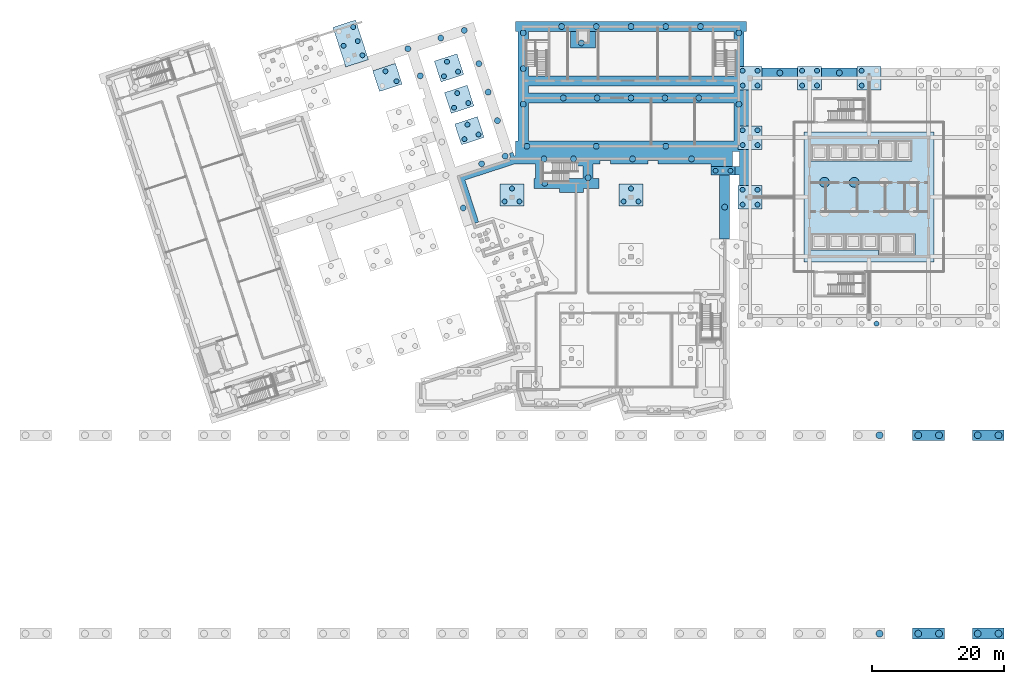
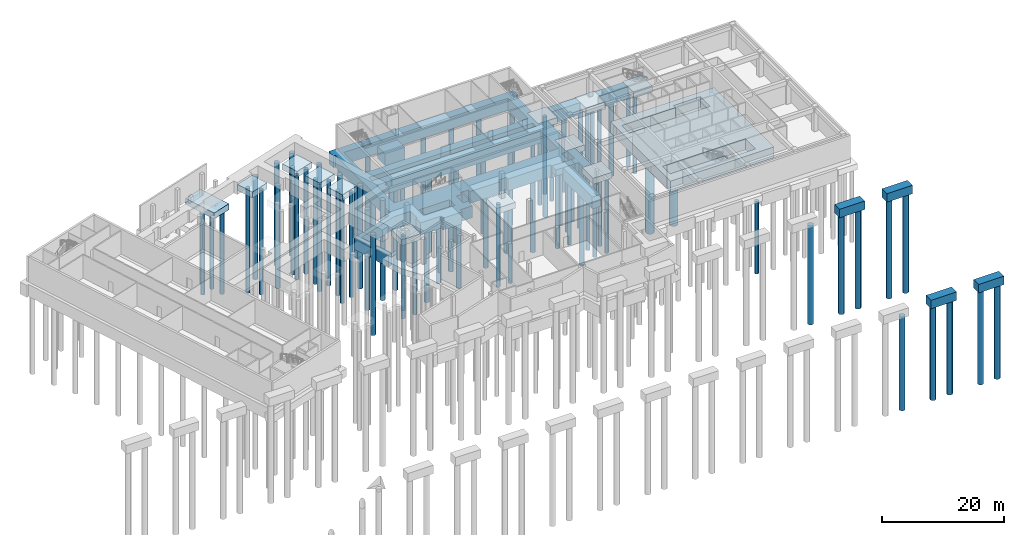
# One storey, part 4 of 17: 92 piles, 23 footings.
"""IFC4 building model written with IfcOpenShell, lengths in metres."""

from ifc_helpers import new_model, si_unit, direction, frame, origin, origin_2d, place, context, subcontext, project, spatial, polyline, rectangle, circle, outline, extrude, material, layer, layer_set, material_profile, profile_set, type_object, element, save


model = new_model("IFC4")

# Units and contexts
model_context = context("Model", 3, precision=1e-05, world=origin(), true_north=direction((0.0, 1.0)))
body_context = subcontext(model_context, "Body", "Model", "MODEL_VIEW")
ifc_project = project(units=[si_unit("LENGTHUNIT", "METRE"), si_unit("AREAUNIT", "SQUARE_METRE"), si_unit("VOLUMEUNIT", "CUBIC_METRE"), si_unit("PLANEANGLEUNIT", "RADIAN"), si_unit("MASSUNIT", "GRAM", prefix="KILO")], contexts=[model_context])

# Site, building, storey
site_placement = place(None, origin())
site = spatial("IfcSite", under=ifc_project, at=site_placement, CompositionType="ELEMENT")
building_placement = place(site_placement, origin())
building = spatial("IfcBuilding", under=site, at=building_placement, Name="Tuart Plaza Theatre", CompositionType="ELEMENT")
storey_placement = place(building_placement, frame((0.0, 0.0, -10.0)))
storey = spatial("IfcBuildingStorey", under=building, at=storey_placement, Name="B2", CompositionType="ELEMENT", Elevation=-10.0)

# Footings
ifc_material_1 = material(Name="Concrete N40 (40 MPa)", Category="concrete")
footing_type_1 = type_object("IfcFootingType", Name="CAP-1P-D900-3770X2475X2400", PredefinedType="PILE_CAP", material=ifc_material_1)
footing_1_placement = place(storey_placement, frame((88.739990234375, 97.802490234375, -4.199951171875), z_axis=(0.0, 0.0, 1.0), x_axis=(1.0, 0.0, 0.0)))
element("IfcFooting", 1, at=footing_1_placement, inside=storey, type_object=footing_type_1, Name="D-CAP-109", PredefinedType="PILE_CAP", context=body_context, shape_type="SweptSolid", body=[
    extrude(rectangle(XDim=3.77001953125, YDim=2.47509765625, at=origin_2d()), origin(), (0.0, 0.0, 1.0), 2.39990234375),
])
ifc_material_2 = material(Name="Concrete N40 (40 MPa)", Category="concrete")
footing_type_2 = type_object("IfcFootingType", Name="CAP-1P-D900-5400X1520X2400", PredefinedType="PILE_CAP", material=ifc_material_2)
for number, where, z_axis, x_axis, name in (
    (2, (118.5, 92.800048828125, -3.199951171875), (0.0, 0.0, 1.0), (1.0, 0.0, 0.0), "D-CAP-119"),
    (3, (127.5, 92.800048828125, -3.199951171875), (0.0, 0.0, 1.0), (1.0, 0.0, 0.0), "D-CAP-121"),
):
    element("IfcFooting", number, at=place(storey_placement, frame(where, z_axis=z_axis, x_axis=x_axis)), inside=storey, type_object=footing_type_2, Name=name, PredefinedType="PILE_CAP", context=body_context, shape_type="SweptSolid", body=[
        extrude(rectangle(XDim=5.39990234375, YDim=1.52001953125, at=origin_2d()), origin(), (0.0, 0.0, 1.0), 2.39990234375),
    ])
ifc_material_3 = material(Name="Concrete N40 (40 MPa)", Category="concrete")
footing_type_3 = type_object("IfcFootingType", Name="CAP-1P-D900-9650X1520X2400", PredefinedType="PILE_CAP", material=ifc_material_3)
footing_2_placement = place(storey_placement, frame((110.1630859375, 72.5, -3.199951171875), z_axis=(0.0, 0.0, 1.0), x_axis=(-5.375614e-06, 0.999999999986, 0.0)))
element("IfcFooting", 4, at=footing_2_placement, inside=storey, type_object=footing_type_3, Name="D-CAP-115", PredefinedType="PILE_CAP", context=body_context, shape_type="SweptSolid", body=[
    extrude(rectangle(XDim=9.64990234375, YDim=1.52001953125, at=origin_2d()), origin(), (0.0, 0.0, 1.0), 2.39990234375),
])
ifc_material_4 = material(Name="Concrete N40 (40 MPa)", Category="concrete")
footing_type_4 = type_object("IfcFootingType", Name="CAP-2P-D1050-4800X1650X1700", PredefinedType="PILE_CAP", material=ifc_material_4)
for number, where, z_axis, x_axis, name in (
    (5, (141.0, 8.0, 3.2998046875), (0.0, 0.0, 1.0), (1.0, 0.0, 0.0), "D-CAP-081"),
    (6, (141.0, 38.0, 3.2998046875), (0.0, 0.0, 1.0), (1.0, 0.0, 0.0), "D-CAP-082"),
    (7, (150.0, 8.0, 3.2998046875), (0.0, 0.0, 1.0), (1.0, 0.0, 0.0), "D-CAP-085"),
    (8, (150.0, 38.0, 3.2998046875), (0.0, 0.0, 1.0), (1.0, 0.0, 0.0), "D-CAP-086"),
):
    element("IfcFooting", number, at=place(storey_placement, frame(where, z_axis=z_axis, x_axis=x_axis)), inside=storey, type_object=footing_type_4, Name=name, PredefinedType="PILE_CAP", context=body_context, shape_type="SweptSolid", body=[
        extrude(rectangle(XDim=4.800048828125, YDim=1.64990234375, at=origin_2d()), origin(), (0.0, 0.0, 1.0), 1.699951171875),
    ])
ifc_material_5 = material(Name="Concrete N40 (40 MPa)", Category="concrete")
footing_type_5 = type_object("IfcFootingType", Name="CAP-2P-D750-3600X1350X1200", PredefinedType="PILE_CAP", material=ifc_material_5)
footing_3_placement = place(storey_placement, frame((109.909912109375, 78.0, -2.0), z_axis=(0.0, 0.0, 1.0), x_axis=(1.0, 0.0, 0.0)))
element("IfcFooting", 9, at=footing_3_placement, inside=storey, type_object=footing_type_5, Name="D-CAP-062", PredefinedType="PILE_CAP", context=body_context, shape_type="SweptSolid", body=[
    extrude(rectangle(XDim=3.60009765625, YDim=1.35009765625, at=origin_2d()), origin(), (0.0, 0.0, 1.0), 1.199951171875),
])
ifc_material_6 = material(Name="Concrete N40 (40 MPa)", Category="concrete")
footing_type_6 = type_object("IfcFootingType", Name="CAP-3P-D750-3600X3299X1200", PredefinedType="PILE_CAP", material=ifc_material_6)
for number, where, z_axis, x_axis, name in (
    (10, (59.1640625, 92.109130859375, 3.4501953125), (0.0, 0.0, 1.0), (0.951056516295, 0.309016994375, 0.0), "D-CAP-021"),
    (11, (68.472412109375, 93.556396484375, 3.4501953125), (0.0, 0.0, 1.0), (0.951056516295, 0.309016994375, 0.0), "D-CAP-028"),
    (12, (70.017333984375, 88.801025390625, 3.4501953125), (0.0, 0.0, 1.0), (0.951056516295, 0.309016994375, 0.0), "D-CAP-032"),
    (13, (71.5625, 84.0458984375, 3.4501953125), (0.0, 0.0, 1.0), (0.951056516295, 0.309016994375, 0.0), "D-CAP-034"),
    (14, (78.0, 74.32470703125, -2.0), (0.0, 0.0, 1.0), (1.0, 0.0, 0.0), "D-CAP-039"),
    (15, (96.0, 74.32470703125, -2.0), (0.0, 0.0, 1.0), (1.0, 0.0, 0.0), "D-CAP-054"),
):
    element("IfcFooting", number, at=place(storey_placement, frame(where, z_axis=z_axis, x_axis=x_axis)), inside=storey, type_object=footing_type_6, Name=name, PredefinedType="PILE_CAP", context=body_context, shape_type="SweptSolid", body=[
        extrude(rectangle(XDim=3.60009765625, YDim=3.299072265625, at=origin_2d()), origin(), (0.0, 0.0, 1.0), 1.199951171875),
    ])
ifc_material_7 = material(Name="Concrete N40 (40 MPa)", Category="concrete")
footing_type_7 = type_object("IfcFootingType", Name="CAP-4P-D750-3600X3600X1200", PredefinedType="PILE_CAP", material=ifc_material_7)
for number, where, z_axis, x_axis, name in (
    (16, (114.0, 74.0, -2.0), (0.0, 0.0, 1.0), (0.0, 1.0, 0.0), "D-CAP-067"),
    (17, (114.0, 83.0, -2.0), (0.0, 0.0, 1.0), (0.0, 1.0, 0.0), "D-CAP-068"),
    (18, (114.0, 92.0, -2.0), (0.0, 0.0, 1.0), (0.0, 1.0, 0.0), "D-CAP-069"),
    (19, (123.0, 92.0, -2.0), (0.0, 0.0, 1.0), (0.0, 1.0, 0.0), "D-CAP-073"),
    (20, (132.0, 92.0, -2.0), (0.0, 0.0, 1.0), (1.0, 0.0, 0.0), "D-CAP-079"),
):
    element("IfcFooting", number, at=place(storey_placement, frame(where, z_axis=z_axis, x_axis=x_axis)), inside=storey, type_object=footing_type_7, Name=name, PredefinedType="PILE_CAP", context=body_context, shape_type="SweptSolid", body=[
        extrude(rectangle(XDim=3.60009765625, YDim=3.60009765625, at=origin_2d()), origin(), (0.0, 0.0, 1.0), 1.199951171875),
    ])
ifc_material_8 = material(Name="Concrete N40 (40 MPa)", Category="concrete")
footing_type_8 = type_object("IfcFootingType", Name="CAP-6P-D750-6299X3600X1200", PredefinedType="PILE_CAP", material=ifc_material_8)
footing_4_placement = place(storey_placement, frame((53.60546875, 97.24267578125, -1.2001953125), z_axis=(0.0, 0.0, 1.0), x_axis=(-0.309016994375, 0.951056516295, 0.0)))
element("IfcFooting", 21, at=footing_4_placement, inside=storey, type_object=footing_type_8, Name="D-CAP-018", PredefinedType="PILE_CAP", context=body_context, shape_type="SweptSolid", body=[
    extrude(rectangle(XDim=6.299072265625, YDim=3.60009765625, at=origin_2d()), origin(), (0.0, 0.0, 1.0), 1.199951171875),
])
ifc_material_9 = material(Name="Concrete N40 (40 MPa)", Category="concrete")
ifc_layer_1 = layer(ifc_material_9, 2.39990234375)
ifc_layer_set_1 = layer_set([ifc_layer_1], Name="CAP-STRIP-D900-T2400")
footing_type_9 = type_object("IfcFootingType", Name="CAP-STRIP-D900-T2400", PredefinedType="PILE_CAP", material=ifc_layer_set_1)
footing_5_placement = place(storey_placement, frame((0.0, 0.0, -3.199951171875)))
element("IfcFooting", 22, at=footing_5_placement, inside=storey, type_object=footing_type_9, Name="D-CAP-110", PredefinedType="PILE_CAP", context=body_context, shape_type="SweptSolid", body=[
    extrude(outline(polyline([(70.893798828125, 76.589599609375), (78.395751953125, 79.027099609375), (81.5400390625, 79.027099609375), (81.5400390625, 76.860107421875), (81.340087890625, 76.860107421875), (81.340087890625, 75.340087890625), (85.2080078125, 75.340087890625), (85.2080078125, 74.675048828125), (88.80810546875, 74.675048828125), (88.80810546875, 75.340087890625), (91.139892578125, 75.340087890625), (91.139892578125, 76.860107421875), (90.260009765625, 76.860107421875), (90.260009765625, 79.027099609375), (91.340087890625, 79.027099609375), (91.340087890625, 79.56689453125), (92.860107421875, 79.56689453125), (92.860107421875, 79.027099609375), (98.5400390625, 79.027099609375), (98.5400390625, 79.56689453125), (100.06005859375, 79.56689453125), (100.06005859375, 79.027099609375), (108.110107421875, 79.027099609375), (108.110107421875, 78.675048828125), (111.322998046875, 78.675048828125), (111.322998046875, 80.93994140625), (112.43994140625, 80.93994140625), (112.43994140625, 78.675048828125), (111.7099609375, 78.675048828125), (111.7099609375, 77.324951171875), (112.43994140625, 77.324951171875), (112.43994140625, 75.800048828125), (113.9599609375, 75.800048828125), (113.9599609375, 81.199951171875), (112.199951171875, 81.199951171875), (112.199951171875, 84.800048828125), (113.9599609375, 84.800048828125), (113.9599609375, 90.199951171875), (112.199951171875, 90.199951171875), (112.199951171875, 93.800048828125), (113.06005859375, 93.800048828125), (113.06005859375, 99.0400390625), (113.4599609375, 99.0400390625), (113.4599609375, 100.56005859375), (78.5400390625, 100.56005859375), (78.5400390625, 99.0400390625), (78.93994140625, 99.0400390625), (78.93994140625, 82.4599609375), (78.5400390625, 82.4599609375), (78.5400390625, 80.2978515625), (78.322265625, 80.26318359375), (78.148681640625, 80.79736328125), (77.6162109375, 80.624267578125), (77.91259765625, 79.711181640625), (69.8857421875, 77.10302734375), (72.19287109375, 70.002685546875), (72.95361328125, 70.25), (70.893798828125, 76.589599609375)]), holes=[polyline([(80.4599609375, 82.4599609375), (111.5400390625, 82.4599609375), (111.5400390625, 88.239990234375), (80.4599609375, 88.239990234375), (80.4599609375, 82.4599609375)]), polyline([(80.4599609375, 89.760009765625), (111.5400390625, 89.760009765625), (111.5400390625, 90.840087890625), (80.4599609375, 90.840087890625), (80.4599609375, 89.760009765625)]), polyline([(80.4599609375, 92.360107421875), (111.5400390625, 92.360107421875), (111.5400390625, 99.0400390625), (80.4599609375, 99.0400390625), (80.4599609375, 92.360107421875)]), polyline([(88.739990234375, 78.68994140625), (83.06005859375, 78.68994140625), (83.06005859375, 76.860107421875), (88.739990234375, 76.860107421875), (88.739990234375, 78.68994140625)])]), origin(), (0.0, 0.0, 1.0), 2.39990234375),
])
ifc_material_10 = material(Name="Concrete N40 (40 MPa)", Category="concrete")
ifc_layer_2 = layer(ifc_material_10, 2.199951171875)
ifc_layer_set_2 = layer_set([ifc_layer_2], Name="PILE CAP core raft 2200 Concrete N40 (40 MPa)")
footing_type_10 = type_object("IfcFootingType", Name="PILE CAP core raft 2200 Concrete N40 (40 MPa)", PredefinedType="PILE_CAP", material=ifc_layer_set_2)
footing_6_placement = place(storey_placement, frame((0.0, 0.0, -2.199951171875)))
element("IfcFooting", 23, at=footing_6_placement, inside=storey, type_object=footing_type_10, Name="core raft", PredefinedType="PILE_CAP", context=body_context, shape_type="SweptSolid", body=[
    extrude(outline(polyline([(141.824951171875, 64.175048828125), (122.175048828125, 64.175048828125), (122.175048828125, 83.824951171875), (141.824951171875, 83.824951171875), (141.824951171875, 64.175048828125)]), holes=[polyline([(133.425048828125, 65.22509765625), (133.425048828125, 66.02490234375), (123.22509765625, 66.02490234375), (123.22509765625, 68.52490234375), (138.925048828125, 68.52490234375), (138.925048828125, 65.22509765625), (133.425048828125, 65.22509765625)]), polyline([(123.22509765625, 79.47509765625), (123.22509765625, 81.97509765625), (133.425048828125, 81.97509765625), (133.425048828125, 82.675048828125), (138.52490234375, 82.675048828125), (138.52490234375, 79.47509765625), (123.22509765625, 79.47509765625)])]), origin(), (0.0, 0.0, 1.0), 2.199951171875),
])

# Piles
ifc_material_11 = material(Name="Concrete N40 (40 MPa)", Category="concrete")
ifc_material_profile_1 = material_profile(ifc_material_11, circle(Radius=0.52490234375, at=origin_2d()), Name="PILE-BORED-D1050")
ifc_profile_set_1 = profile_set([ifc_material_profile_1], Name="Concrete N40 (40 MPa)")
pile_type_1 = type_object("IfcPileType", Name="PILE-BORED-D1050", PredefinedType="BORED", material=ifc_profile_set_1)
pile_1_placement = place(storey_placement, frame((133.574951171875, 8.0, 3.300048828125), z_axis=(0.0, 0.0, -1.0), x_axis=(1.0, 0.0, 0.0)))
element("IfcPile", 24, at=pile_1_placement, inside=storey, type_object=pile_type_1, Name="D-PIL-075-02", PredefinedType="BORED", context=body_context, shape_type="SweptSolid", body=[
    extrude(circle(Radius=0.52490234375, at=origin_2d()), origin(), (0.0, 0.0, 1.0), 18.800048828125),
])
pile_2_placement = place(storey_placement, frame((133.574951171875, 38.0, 3.300048828125), z_axis=(0.0, 0.0, -1.0), x_axis=(1.0, 0.0, 0.0)))
element("IfcPile", 25, at=pile_2_placement, inside=storey, type_object=pile_type_1, Name="D-PIL-076-02", PredefinedType="BORED", context=body_context, shape_type="SweptSolid", body=[
    extrude(circle(Radius=0.52490234375, at=origin_2d()), origin(), (0.0, 0.0, 1.0), 19.800048828125),
])
for number, where, z_axis, x_axis, name in (
    (26, (139.425048828125, 8.0, 3.300048828125), (0.0, 0.0, -1.0), (1.0, 0.0, 0.0), "D-PIL-081-01"),
    (27, (142.574951171875, 8.0, 3.300048828125), (0.0, 0.0, -1.0), (1.0, 0.0, 0.0), "D-PIL-081-02"),
):
    element("IfcPile", number, at=place(storey_placement, frame(where, z_axis=z_axis, x_axis=x_axis)), inside=storey, type_object=pile_type_1, Name=name, PredefinedType="BORED", context=body_context, shape_type="SweptSolid", body=[
        extrude(circle(Radius=0.52490234375, at=origin_2d()), origin(), (0.0, 0.0, 1.0), 18.800048828125),
    ])
for number, where, z_axis, x_axis, name in (
    (28, (139.425048828125, 38.0, 3.300048828125), (0.0, 0.0, -1.0), (1.0, 0.0, 0.0), "D-PIL-082-01"),
    (29, (142.574951171875, 38.0, 3.300048828125), (0.0, 0.0, -1.0), (1.0, 0.0, 0.0), "D-PIL-082-02"),
):
    element("IfcPile", number, at=place(storey_placement, frame(where, z_axis=z_axis, x_axis=x_axis)), inside=storey, type_object=pile_type_1, Name=name, PredefinedType="BORED", context=body_context, shape_type="SweptSolid", body=[
        extrude(circle(Radius=0.52490234375, at=origin_2d()), origin(), (0.0, 0.0, 1.0), 19.800048828125),
    ])
for number, where, z_axis, x_axis, name in (
    (30, (148.425048828125, 8.0, 3.300048828125), (0.0, 0.0, -1.0), (1.0, 0.0, 0.0), "D-PIL-085-01"),
    (31, (151.574951171875, 8.0, 3.300048828125), (0.0, 0.0, -1.0), (1.0, 0.0, 0.0), "D-PIL-085-02"),
):
    element("IfcPile", number, at=place(storey_placement, frame(where, z_axis=z_axis, x_axis=x_axis)), inside=storey, type_object=pile_type_1, Name=name, PredefinedType="BORED", context=body_context, shape_type="SweptSolid", body=[
        extrude(circle(Radius=0.52490234375, at=origin_2d()), origin(), (0.0, 0.0, 1.0), 18.800048828125),
    ])
for number, where, z_axis, x_axis, name in (
    (32, (148.425048828125, 38.0, 3.300048828125), (0.0, 0.0, -1.0), (1.0, 0.0, 0.0), "D-PIL-086-01"),
    (33, (151.574951171875, 38.0, 3.300048828125), (0.0, 0.0, -1.0), (1.0, 0.0, 0.0), "D-PIL-086-02"),
):
    element("IfcPile", number, at=place(storey_placement, frame(where, z_axis=z_axis, x_axis=x_axis)), inside=storey, type_object=pile_type_1, Name=name, PredefinedType="BORED", context=body_context, shape_type="SweptSolid", body=[
        extrude(circle(Radius=0.52490234375, at=origin_2d()), origin(), (0.0, 0.0, 1.0), 19.800048828125),
    ])
ifc_material_12 = material(Name="Concrete N40 (40 MPa)", Category="concrete")
ifc_material_profile_2 = material_profile(ifc_material_12, circle(Radius=0.75, at=origin_2d()), Name="PILE-BORED-D1500")
ifc_profile_set_2 = profile_set([ifc_material_profile_2], Name="Concrete N40 (40 MPa)")
pile_type_2 = type_object("IfcPileType", Name="PILE-BORED-D1500", PredefinedType="BORED", material=ifc_profile_set_2)
for number, where, z_axis, x_axis, name in (
    (34, (129.75, 76.25, -2.199951171875), (0.0, 0.0, -1.0), (1.0, 0.0, 0.0), "D-PIL-C-raft-07"),
    (35, (125.25, 76.25, -2.199951171875), (0.0, 0.0, -1.0), (1.0, 0.0, 0.0), "D-PIL-C-raft-08"),
):
    element("IfcPile", number, at=place(storey_placement, frame(where, z_axis=z_axis, x_axis=x_axis)), inside=storey, type_object=pile_type_2, Name=name, PredefinedType="BORED", context=body_context, shape_type="SweptSolid", body=[
        extrude(circle(Radius=0.75, at=origin_2d()), origin(), (0.0, 0.0, 1.0), 16.300048828125),
    ])
ifc_material_13 = material(Name="Concrete N40 (40 MPa)", Category="concrete")
ifc_material_profile_3 = material_profile(ifc_material_13, circle(Radius=0.375, at=origin_2d()), Name="PILE-BORED-D750")
ifc_profile_set_3 = profile_set([ifc_material_profile_3], Name="Concrete N40 (40 MPa)")
pile_type_3 = type_object("IfcPileType", Name="PILE-BORED-D750", PredefinedType="BORED", material=ifc_profile_set_3)
for number, where, z_axis, x_axis, name in (
    (36, (52.53662109375, 96.8955078125, -1.199951171875), (0.0, 0.0, -1.0), (1.0, 0.0, 0.0), "D-PIL-018-02"),
    (37, (55.368896484375, 95.452392578125, -1.199951171875), (0.0, 0.0, -1.0), (1.0, 0.0, 0.0), "D-PIL-018-04"),
    (38, (54.67431640625, 97.590087890625, -1.199951171875), (0.0, 0.0, -1.0), (1.0, 0.0, 0.0), "D-PIL-018-05"),
    (39, (53.979736328125, 99.727783203125, -1.199951171875), (0.0, 0.0, -1.0), (1.0, 0.0, 0.0), "D-PIL-018-06"),
):
    element("IfcPile", number, at=place(storey_placement, frame(where, z_axis=z_axis, x_axis=x_axis)), inside=storey, type_object=pile_type_3, Name=name, PredefinedType="BORED", context=body_context, shape_type="SweptSolid", body=[
        extrude(circle(Radius=0.375, at=origin_2d()), origin(), (0.0, 0.0, 1.0), 16.800048828125),
    ])
for number, where, z_axis, x_axis, name in (
    (40, (60.534912109375, 91.530029296875, 3.449951171875), (0.0, 0.0, -1.0), (1.0, 0.0, 0.0), "D-PIL-021-02"),
    (41, (58.86279296875, 93.03564453125, 3.449951171875), (0.0, 0.0, -1.0), (1.0, 0.0, 0.0), "D-PIL-021-03"),
    (42, (67.703369140625, 92.281982421875, 3.449951171875), (0.0, 0.0, -1.0), (1.0, 0.0, 0.0), "D-PIL-028-01"),
    (43, (69.84326171875, 92.977294921875, 3.449951171875), (0.0, 0.0, -1.0), (1.0, 0.0, 0.0), "D-PIL-028-02"),
):
    element("IfcPile", number, at=place(storey_placement, frame(where, z_axis=z_axis, x_axis=x_axis)), inside=storey, type_object=pile_type_3, Name=name, PredefinedType="BORED", context=body_context, shape_type="SweptSolid", body=[
        extrude(circle(Radius=0.375, at=origin_2d()), origin(), (0.0, 0.0, 1.0), 20.949951171875),
    ])
pile_3_placement = place(storey_placement, frame((68.171142578125, 94.48291015625, 3.449951171875), z_axis=(0.0, 0.0, -1.0), x_axis=(1.0, 0.0, 0.0)))
element("IfcPile", 44, at=pile_3_placement, inside=storey, type_object=pile_type_3, Name="D-PIL-028-03", PredefinedType="BORED", context=body_context, shape_type="SweptSolid", body=[
    extrude(circle(Radius=0.375, at=origin_2d()), origin(), (0.0, 0.0, 1.0), 21.449951171875),
])
for number, where, z_axis, x_axis, name in (
    (45, (69.24853515625, 87.52685546875, 3.449951171875), (0.0, 0.0, -1.0), (1.0, 0.0, 0.0), "D-PIL-032-01"),
    (46, (71.388427734375, 88.22216796875, 3.449951171875), (0.0, 0.0, -1.0), (1.0, 0.0, 0.0), "D-PIL-032-02"),
    (47, (69.71630859375, 89.727783203125, 3.449951171875), (0.0, 0.0, -1.0), (1.0, 0.0, 0.0), "D-PIL-032-03"),
    (48, (70.793701171875, 82.771484375, 3.449951171875), (0.0, 0.0, -1.0), (1.0, 0.0, 0.0), "D-PIL-034-01"),
    (49, (72.93359375, 83.466796875, 3.449951171875), (0.0, 0.0, -1.0), (1.0, 0.0, 0.0), "D-PIL-034-02"),
    (50, (71.261474609375, 84.972412109375, 3.449951171875), (0.0, 0.0, -1.0), (1.0, 0.0, 0.0), "D-PIL-034-03"),
):
    element("IfcPile", number, at=place(storey_placement, frame(where, z_axis=z_axis, x_axis=x_axis)), inside=storey, type_object=pile_type_3, Name=name, PredefinedType="BORED", context=body_context, shape_type="SweptSolid", body=[
        extrude(circle(Radius=0.375, at=origin_2d()), origin(), (0.0, 0.0, 1.0), 20.949951171875),
    ])
for number, where, z_axis, x_axis, name in (
    (51, (76.875, 73.3505859375, -2.0), (0.0, 0.0, -1.0), (1.0, 0.0, 0.0), "D-PIL-039-01"),
    (52, (79.125, 73.3505859375, -2.0), (0.0, 0.0, -1.0), (1.0, 0.0, 0.0), "D-PIL-039-02"),
    (53, (78.0, 75.299072265625, -2.0), (0.0, 0.0, -1.0), (1.0, 0.0, 0.0), "D-PIL-039-03"),
    (54, (94.875, 73.3505859375, -2.0), (0.0, 0.0, -1.0), (1.0, 0.0, 0.0), "D-PIL-054-01"),
    (55, (97.125, 73.3505859375, -2.0), (0.0, 0.0, -1.0), (1.0, 0.0, 0.0), "D-PIL-054-02"),
    (56, (96.0, 75.299072265625, -2.0), (0.0, 0.0, -1.0), (1.0, 0.0, 0.0), "D-PIL-054-03"),
    (57, (108.784912109375, 78.0, -2.0), (0.0, 0.0, -1.0), (1.0, 0.0, 0.0), "D-PIL-062-01"),
    (58, (111.034912109375, 78.0, -2.0), (0.0, 0.0, -1.0), (1.0, 0.0, 0.0), "D-PIL-062-02"),
    (59, (112.875, 72.875, -2.0), (0.0, 0.0, -1.0), (1.0, 0.0, 0.0), "D-PIL-067-01"),
    (60, (112.875, 75.125, -2.0), (0.0, 0.0, -1.0), (1.0, 0.0, 0.0), "D-PIL-067-02"),
    (61, (115.125, 72.875, -2.0), (0.0, 0.0, -1.0), (1.0, 0.0, 0.0), "D-PIL-067-03"),
    (62, (115.125, 75.125, -2.0), (0.0, 0.0, -1.0), (1.0, 0.0, 0.0), "D-PIL-067-04"),
):
    element("IfcPile", number, at=place(storey_placement, frame(where, z_axis=z_axis, x_axis=x_axis)), inside=storey, type_object=pile_type_3, Name=name, PredefinedType="BORED", context=body_context, shape_type="SweptSolid", body=[
        extrude(circle(Radius=0.375, at=origin_2d()), origin(), (0.0, 0.0, 1.0), 15.0),
    ])
for number, where, z_axis, x_axis, name in (
    (63, (112.875, 81.875, -2.0), (0.0, 0.0, -1.0), (1.0, 0.0, 0.0), "D-PIL-068-01"),
    (64, (112.875, 84.125, -2.0), (0.0, 0.0, -1.0), (1.0, 0.0, 0.0), "D-PIL-068-02"),
    (65, (115.125, 81.875, -2.0), (0.0, 0.0, -1.0), (1.0, 0.0, 0.0), "D-PIL-068-03"),
    (66, (115.125, 84.125, -2.0), (0.0, 0.0, -1.0), (1.0, 0.0, 0.0), "D-PIL-068-04"),
    (67, (112.875, 90.875, -2.0), (0.0, 0.0, -1.0), (1.0, 0.0, 0.0), "D-PIL-069-01"),
    (68, (112.875, 93.125, -2.0), (0.0, 0.0, -1.0), (1.0, 0.0, 0.0), "D-PIL-069-02"),
    (69, (115.125, 90.875, -2.0), (0.0, 0.0, -1.0), (1.0, 0.0, 0.0), "D-PIL-069-03"),
    (70, (115.125, 93.125, -2.0), (0.0, 0.0, -1.0), (1.0, 0.0, 0.0), "D-PIL-069-04"),
    (71, (121.875, 90.875, -2.0), (0.0, 0.0, -1.0), (1.0, 0.0, 0.0), "D-PIL-073-01"),
    (72, (121.875, 93.125, -2.0), (0.0, 0.0, -1.0), (1.0, 0.0, 0.0), "D-PIL-073-02"),
    (73, (124.125, 90.875, -2.0), (0.0, 0.0, -1.0), (1.0, 0.0, 0.0), "D-PIL-073-03"),
    (74, (124.125, 93.125, -2.0), (0.0, 0.0, -1.0), (1.0, 0.0, 0.0), "D-PIL-073-04"),
):
    element("IfcPile", number, at=place(storey_placement, frame(where, z_axis=z_axis, x_axis=x_axis)), inside=storey, type_object=pile_type_3, Name=name, PredefinedType="BORED", context=body_context, shape_type="SweptSolid", body=[
        extrude(circle(Radius=0.375, at=origin_2d()), origin(), (0.0, 0.0, 1.0), 15.5),
    ])
pile_4_placement = place(storey_placement, frame((133.125, 54.875, -2.0), z_axis=(0.0, 0.0, -1.0), x_axis=(1.0, 0.0, 0.0)))
element("IfcPile", 75, at=pile_4_placement, inside=storey, type_object=pile_type_3, Name="D-PIL-078-03", PredefinedType="BORED", context=body_context, shape_type="SweptSolid", body=[
    extrude(circle(Radius=0.375, at=origin_2d()), origin(), (0.0, 0.0, 1.0), 14.5),
])
for number, where, z_axis, x_axis, name in (
    (76, (130.875, 90.875, -2.0), (0.0, 0.0, -1.0), (1.0, 0.0, 0.0), "D-PIL-079-01"),
    (77, (130.875, 93.125, -2.0), (0.0, 0.0, -1.0), (1.0, 0.0, 0.0), "D-PIL-079-02"),
):
    element("IfcPile", number, at=place(storey_placement, frame(where, z_axis=z_axis, x_axis=x_axis)), inside=storey, type_object=pile_type_3, Name=name, PredefinedType="BORED", context=body_context, shape_type="SweptSolid", body=[
        extrude(circle(Radius=0.375, at=origin_2d()), origin(), (0.0, 0.0, 1.0), 15.5),
    ])
ifc_material_14 = material(Name="Concrete N40 (40 MPa)", Category="concrete")
ifc_material_profile_4 = material_profile(ifc_material_14, circle(Radius=0.449951171875, at=origin_2d()), Name="PILE-BORED-D900")
ifc_profile_set_4 = profile_set([ifc_material_profile_4], Name="Concrete N40 (40 MPa)")
pile_type_4 = type_object("IfcPileType", Name="PILE-BORED-D900", PredefinedType="BORED", material=ifc_profile_set_4)
pile_5_placement = place(storey_placement, frame((62.24853515625, 96.449951171875, 2.60009765625), z_axis=(0.0, 0.0, -1.0), x_axis=(1.0, 0.0, 0.0)))
element("IfcPile", 78, at=pile_5_placement, inside=storey, type_object=pile_type_4, Name="D-PIL-102-02", PredefinedType="BORED", context=body_context, shape_type="SweptSolid", body=[
    extrude(circle(Radius=0.449951171875, at=origin_2d()), origin(), (0.0, 0.0, 1.0), 20.60009765625),
])
for number, where, z_axis, x_axis, name in (
    (79, (73.409912109375, 79.04736328125, 2.60009765625), (0.0, 0.0, -1.0), (1.0, 0.0, 0.0), "D-PIL-102-08"),
    (80, (76.964599609375, 80.202392578125, 2.60009765625), (0.0, 0.0, -1.0), (1.0, 0.0, 0.0), "D-PIL-102-09"),
):
    element("IfcPile", number, at=place(storey_placement, frame(where, z_axis=z_axis, x_axis=x_axis)), inside=storey, type_object=pile_type_4, Name=name, PredefinedType="BORED", context=body_context, shape_type="SweptSolid", body=[
        extrude(circle(Radius=0.449951171875, at=origin_2d()), origin(), (0.0, 0.0, 1.0), 20.10009765625),
    ])
for number, where, z_axis, x_axis, name in (
    (81, (70.7841796875, 99.223388671875, 2.60009765625), (0.0, 0.0, -1.0), (1.0, 0.0, 0.0), "D-PIL-102-10"),
    (82, (67.229736328125, 98.068359375, 2.60009765625), (0.0, 0.0, -1.0), (1.0, 0.0, 0.0), "D-PIL-102-11"),
    (83, (75.7958984375, 85.579345703125, 2.60009765625), (0.0, 0.0, -1.0), (1.0, 0.0, 0.0), "D-PIL-102-12"),
    (84, (74.3974609375, 89.8828125, 2.60009765625), (0.0, 0.0, -1.0), (1.0, 0.0, 0.0), "D-PIL-102-13"),
    (85, (72.999267578125, 94.186279296875, 2.60009765625), (0.0, 0.0, -1.0), (1.0, 0.0, 0.0), "D-PIL-102-14"),
):
    element("IfcPile", number, at=place(storey_placement, frame(where, z_axis=z_axis, x_axis=x_axis)), inside=storey, type_object=pile_type_4, Name=name, PredefinedType="BORED", context=body_context, shape_type="SweptSolid", body=[
        extrude(circle(Radius=0.449951171875, at=origin_2d()), origin(), (0.0, 0.0, 1.0), 20.60009765625),
    ])
pile_6_placement = place(storey_placement, frame((70.62548828125, 72.36669921875, 2.60009765625), z_axis=(0.0, 0.0, -1.0), x_axis=(1.0, 0.0, 0.0)))
element("IfcPile", 86, at=pile_6_placement, inside=storey, type_object=pile_type_4, Name="D-PIL-102-15", PredefinedType="BORED", context=body_context, shape_type="SweptSolid", body=[
    extrude(circle(Radius=0.449951171875, at=origin_2d()), origin(), (0.0, 0.0, 1.0), 20.10009765625),
])
pile_7_placement = place(storey_placement, frame((64.131591796875, 92.353759765625, 2.60009765625), z_axis=(0.0, 0.0, -1.0), x_axis=(1.0, 0.0, 0.0)))
element("IfcPile", 87, at=pile_7_placement, inside=storey, type_object=pile_type_4, Name="D-PIL-102-18", PredefinedType="BORED", context=body_context, shape_type="SweptSolid", body=[
    extrude(circle(Radius=0.449951171875, at=origin_2d()), origin(), (0.0, 0.0, 1.0), 20.60009765625),
])
pile_8_placement = place(storey_placement, frame((88.489990234375, 97.324951171875, -4.199951171875), z_axis=(0.0, 0.0, -1.0), x_axis=(1.0, 0.0, 0.0)))
element("IfcPile", 88, at=pile_8_placement, inside=storey, type_object=pile_type_4, Name="D-PIL-109-01", PredefinedType="BORED", context=body_context, shape_type="SweptSolid", body=[
    extrude(circle(Radius=0.449951171875, at=origin_2d()), origin(), (0.0, 0.0, 1.0), 13.800048828125),
])
for number, where, z_axis, x_axis, name in (
    (89, (82.84033203125, 79.787109375, -3.199951171875), (0.0, 0.0, -1.0), (1.0, 0.0, 0.0), "D-PIL-110-01"),
    (90, (87.302490234375, 79.787109375, -3.199951171875), (0.0, 0.0, -1.0), (1.0, 0.0, 0.0), "D-PIL-110-02"),
    (91, (96.226806640625, 79.787109375, -3.199951171875), (0.0, 0.0, -1.0), (1.0, 0.0, 0.0), "D-PIL-110-03"),
    (92, (105.15087890625, 79.787109375, -3.199951171875), (0.0, 0.0, -1.0), (1.0, 0.0, 0.0), "D-PIL-110-04"),
    (93, (80.25, 81.699951171875, -3.199951171875), (0.0, 0.0, -1.0), (1.0, 0.0, 0.0), "D-PIL-110-05"),
    (94, (90.75, 81.699951171875, -3.199951171875), (0.0, 0.0, -1.0), (1.0, 0.0, 0.0), "D-PIL-110-06"),
    (95, (101.25, 81.699951171875, -3.199951171875), (0.0, 0.0, -1.0), (1.0, 0.0, 0.0), "D-PIL-110-07"),
):
    element("IfcPile", number, at=place(storey_placement, frame(where, z_axis=z_axis, x_axis=x_axis)), inside=storey, type_object=pile_type_4, Name=name, PredefinedType="BORED", context=body_context, shape_type="SweptSolid", body=[
        extrude(circle(Radius=0.449951171875, at=origin_2d()), origin(), (0.0, 0.0, 1.0), 14.300048828125),
    ])
for number, where, z_axis, x_axis, name in (
    (96, (79.699951171875, 98.85009765625, -3.199951171875), (0.0, 0.0, -1.0), (1.0, 0.0, 0.0), "D-PIL-110-08"),
    (97, (79.699951171875, 93.449951171875, -3.199951171875), (0.0, 0.0, -1.0), (1.0, 0.0, 0.0), "D-PIL-110-09"),
    (98, (79.699951171875, 88.050048828125, -3.199951171875), (0.0, 0.0, -1.0), (1.0, 0.0, 0.0), "D-PIL-110-10"),
    (99, (85.7666015625, 89.0, -3.199951171875), (0.0, 0.0, -1.0), (1.0, 0.0, 0.0), "D-PIL-110-11"),
    (100, (90.88330078125, 89.0, -3.199951171875), (0.0, 0.0, -1.0), (1.0, 0.0, 0.0), "D-PIL-110-12"),
    (101, (96.0, 89.0, -3.199951171875), (0.0, 0.0, -1.0), (1.0, 0.0, 0.0), "D-PIL-110-13"),
    (102, (101.11669921875, 89.0, -3.199951171875), (0.0, 0.0, -1.0), (1.0, 0.0, 0.0), "D-PIL-110-14"),
    (103, (106.2333984375, 89.0, -3.199951171875), (0.0, 0.0, -1.0), (1.0, 0.0, 0.0), "D-PIL-110-15"),
):
    element("IfcPile", number, at=place(storey_placement, frame(where, z_axis=z_axis, x_axis=x_axis)), inside=storey, type_object=pile_type_4, Name=name, PredefinedType="BORED", context=body_context, shape_type="SweptSolid", body=[
        extrude(circle(Radius=0.449951171875, at=origin_2d()), origin(), (0.0, 0.0, 1.0), 14.800048828125),
    ])
for number, where, z_axis, x_axis, name in (
    (104, (82.949951171875, 76.10009765625, -3.199951171875), (0.0, 0.0, -1.0), (1.0, 0.0, 0.0), "D-PIL-110-16"),
    (105, (89.5, 76.949951171875, -3.199951171875), (0.0, 0.0, -1.0), (1.0, 0.0, 0.0), "D-PIL-110-17"),
):
    element("IfcPile", number, at=place(storey_placement, frame(where, z_axis=z_axis, x_axis=x_axis)), inside=storey, type_object=pile_type_4, Name=name, PredefinedType="BORED", context=body_context, shape_type="SweptSolid", body=[
        extrude(circle(Radius=0.449951171875, at=origin_2d()), origin(), (0.0, 0.0, 1.0), 14.300048828125),
    ])
for number, where, z_axis, x_axis, name in (
    (106, (112.300048828125, 88.050048828125, -3.199951171875), (0.0, 0.0, -1.0), (1.0, 0.0, 0.0), "D-PIL-110-18"),
    (107, (112.300048828125, 98.85009765625, -3.199951171875), (0.0, 0.0, -1.0), (1.0, 0.0, 0.0), "D-PIL-110-19"),
    (108, (106.5, 99.800048828125, -3.199951171875), (0.0, 0.0, -1.0), (1.0, 0.0, 0.0), "D-PIL-110-20"),
    (109, (101.25, 99.800048828125, -3.199951171875), (0.0, 0.0, -1.0), (1.0, 0.0, 0.0), "D-PIL-110-21"),
    (110, (96.0, 99.800048828125, -3.199951171875), (0.0, 0.0, -1.0), (1.0, 0.0, 0.0), "D-PIL-110-22"),
    (111, (90.75, 99.800048828125, -3.199951171875), (0.0, 0.0, -1.0), (1.0, 0.0, 0.0), "D-PIL-110-23"),
    (112, (85.5, 99.800048828125, -3.199951171875), (0.0, 0.0, -1.0), (1.0, 0.0, 0.0), "D-PIL-110-24"),
):
    element("IfcPile", number, at=place(storey_placement, frame(where, z_axis=z_axis, x_axis=x_axis)), inside=storey, type_object=pile_type_4, Name=name, PredefinedType="BORED", context=body_context, shape_type="SweptSolid", body=[
        extrude(circle(Radius=0.449951171875, at=origin_2d()), origin(), (0.0, 0.0, 1.0), 14.800048828125),
    ])
pile_9_placement = place(storey_placement, frame((110.1630859375, 72.5, -3.199951171875), z_axis=(0.0, 0.0, -1.0), x_axis=(1.0, 0.0, 0.0)))
element("IfcPile", 113, at=pile_9_placement, inside=storey, type_object=pile_type_4, Name="D-PIL-115-01", PredefinedType="BORED", context=body_context, shape_type="SweptSolid", body=[
    extrude(circle(Radius=0.449951171875, at=origin_2d()), origin(), (0.0, 0.0, 1.0), 14.300048828125),
])
for number, where, z_axis, x_axis, name in (
    (114, (118.5, 92.800048828125, -3.199951171875), (0.0, 0.0, -1.0), (1.0, 0.0, 0.0), "D-PIL-119-01"),
    (115, (127.5, 92.800048828125, -3.199951171875), (0.0, 0.0, -1.0), (1.0, 0.0, 0.0), "D-PIL-121-01"),
):
    element("IfcPile", number, at=place(storey_placement, frame(where, z_axis=z_axis, x_axis=x_axis)), inside=storey, type_object=pile_type_4, Name=name, PredefinedType="BORED", context=body_context, shape_type="SweptSolid", body=[
        extrude(circle(Radius=0.449951171875, at=origin_2d()), origin(), (0.0, 0.0, 1.0), 14.800048828125),
    ])

save(model, "model.ifc")
